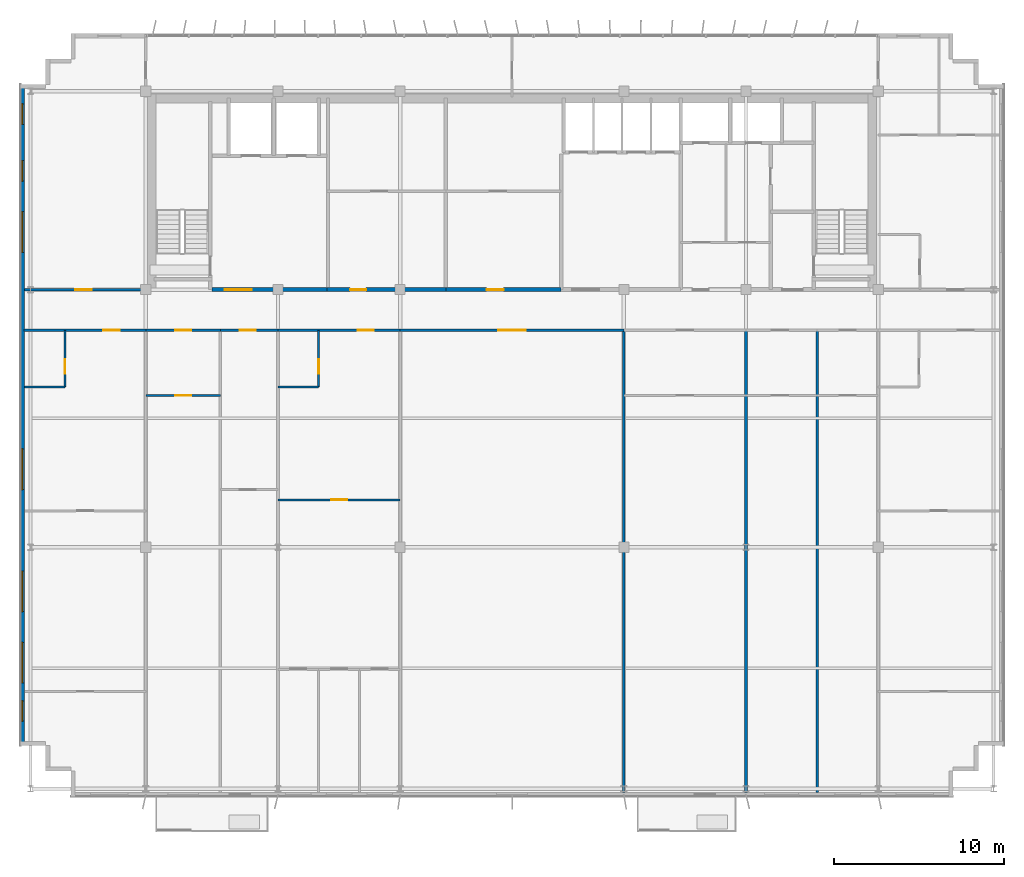
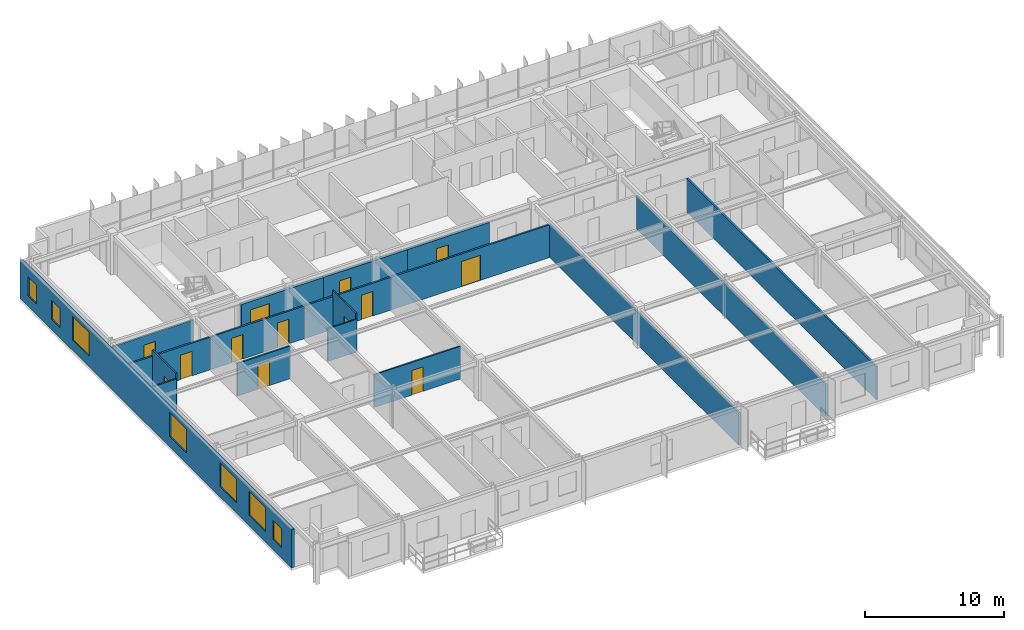
# One storey, part 17 of 22: 19 walls, 13 doors, 7 windows, 20 openings.
"""IFC4 building model written with IfcOpenShell, lengths in metres."""

from ifc_helpers import new_model, si_unit, direction, frame, frame_2d, origin, place, context, subcontext, project, spatial, rectangle, extrude, source, transform, mapped, material, layer, layer_set, type_object, element, fill, save


model = new_model("IFC4")

# Units and contexts
model_context = context("Model", 3, precision=1e-05, world=origin(), true_north=direction((0.0, 1.0)))
body_context = subcontext(model_context, "Body", "Model", "MODEL_VIEW")
ifc_project = project(units=[si_unit("LENGTHUNIT", "METRE"), si_unit("AREAUNIT", "SQUARE_METRE"), si_unit("VOLUMEUNIT", "CUBIC_METRE"), si_unit("PLANEANGLEUNIT", "RADIAN"), si_unit("MASSUNIT", "GRAM", prefix="KILO")], contexts=[model_context])

# Site, building, storey
site_placement = place(None, origin())
site = spatial("IfcSite", under=ifc_project, at=site_placement, CompositionType="ELEMENT")
building_placement = place(site_placement, origin())
building = spatial("IfcBuilding", under=site, at=building_placement, Name="Trelvane Seafront Commons", CompositionType="ELEMENT")
storey_placement = place(building_placement, frame((0.0, 0.0, 273.89990234375)))
storey = spatial("IfcBuildingStorey", under=building, at=storey_placement, Name="L71", CompositionType="ELEMENT", Elevation=273.89990234375)

# Wall, openings, windows
ifc_material_1 = material(Name="Precast concrete C40/50", Category="concrete")
ifc_layer_1 = layer(ifc_material_1, 0.239990234375, Name="ARCH-WALL-EXT240")
ifc_layer_set_1 = layer_set([ifc_layer_1], Name="Precast concrete C40/50")
wall_type_1 = type_object("IfcWallType", Name="ARCH-WALL-EXT240", PredefinedType="SOLIDWALL", material=ifc_layer_set_1)
wall_1_placement = place(storey_placement, frame((8.320068359375, 6.5, 0.0), z_axis=(0.0, 0.0, 1.0), x_axis=(0.0, 1.0, 0.0)))
wall_1 = element("IfcWall", 1, at=wall_1_placement, inside=storey, type_object=wall_type_1, Name="EW-L71-01429", PredefinedType="SOLIDWALL", context=body_context, shape_type="SweptSolid", body=[
    extrude(rectangle(XDim=39.0, YDim=0.239990234375, at=frame_2d((19.5, 0.0))), origin(), (0.0, 0.0, 1.0), 3.3701171875),
])
opening_1_placement = place(wall_1_placement, frame((1.449951171875, 0.0, 0.919921875)))
opening_1 = element("IfcOpeningElement", 2, at=opening_1_placement, cuts=wall_1, Name="Opening W05", PredefinedType="OPENING", context=body_context, shape_type="SweptSolid", body=[
    extrude(rectangle(XDim=1.199951171875, YDim=1.64990234375, at=frame_2d((0.60009765625, 0.824951171875))), frame((0.0, 0.1298828125, 0.0), z_axis=(0.0, -1.0, 0.0), x_axis=(1.0, 0.0, 0.0)), (0.0, 0.0, 1.0), 0.260009765625),
])
opening_2_placement = place(wall_1_placement, frame((3.699951171875, 0.0, 0.919921875)))
opening_2 = element("IfcOpeningElement", 3, at=opening_2_placement, cuts=wall_1, Name="Opening W08", PredefinedType="OPENING", context=body_context, shape_type="SweptSolid", body=[
    extrude(rectangle(XDim=2.39990234375, YDim=2.10009765625, at=frame_2d((1.199951171875, 1.050048828125))), frame((0.0, 0.1298828125, 0.0), z_axis=(0.0, -1.0, 0.0), x_axis=(1.0, 0.0, 0.0)), (0.0, 0.0, 1.0), 0.260009765625),
])
opening_3_placement = place(wall_1_placement, frame((7.89990234375, 0.0, 0.919921875)))
opening_3 = element("IfcOpeningElement", 4, at=opening_3_placement, cuts=wall_1, Name="Opening W08", PredefinedType="OPENING", context=body_context, shape_type="SweptSolid", body=[
    extrude(rectangle(XDim=2.39990234375, YDim=2.10009765625, at=frame_2d((1.199951171875, 1.050048828125))), frame((0.0, 0.1298828125, 0.0), z_axis=(0.0, -1.0, 0.0), x_axis=(1.0, 0.0, 0.0)), (0.0, 0.0, 1.0), 0.260009765625),
])
opening_4_placement = place(wall_1_placement, frame((15.10009765625, 0.0, 0.919921875)))
opening_4 = element("IfcOpeningElement", 5, at=opening_4_placement, cuts=wall_1, Name="Opening W08", PredefinedType="OPENING", context=body_context, shape_type="SweptSolid", body=[
    extrude(rectangle(XDim=2.39990234375, YDim=2.10009765625, at=frame_2d((1.199951171875, 1.050048828125))), frame((0.0, 0.1298828125, 0.0), z_axis=(0.0, -1.0, 0.0), x_axis=(1.0, 0.0, 0.0)), (0.0, 0.0, 1.0), 0.260009765625),
])
opening_5_placement = place(wall_1_placement, frame((29.10009765625, 0.0, 0.919921875)))
opening_5 = element("IfcOpeningElement", 6, at=opening_5_placement, cuts=wall_1, Name="Opening W08", PredefinedType="OPENING", context=body_context, shape_type="SweptSolid", body=[
    extrude(rectangle(XDim=2.39990234375, YDim=2.10009765625, at=frame_2d((1.199951171875, 1.050048828125))), frame((0.0, 0.1298828125, 0.0), z_axis=(0.0, -1.0, 0.0), x_axis=(1.0, 0.0, 0.0)), (0.0, 0.0, 1.0), 0.260009765625),
])
opening_6_placement = place(wall_1_placement, frame((33.300048828125, 0.0, 0.919921875)))
opening_6 = element("IfcOpeningElement", 7, at=opening_6_placement, cuts=wall_1, Name="Opening W05", PredefinedType="OPENING", context=body_context, shape_type="SweptSolid", body=[
    extrude(rectangle(XDim=1.199951171875, YDim=1.64990234375, at=frame_2d((0.60009765625, 0.824951171875))), frame((0.0, 0.1298828125, 0.0), z_axis=(0.0, -1.0, 0.0), x_axis=(1.0, 0.0, 0.0)), (0.0, 0.0, 1.0), 0.260009765625),
])
opening_7_placement = place(wall_1_placement, frame((36.64990234375, 0.0, 0.919921875)))
opening_7 = element("IfcOpeningElement", 8, at=opening_7_placement, cuts=wall_1, Name="Opening W05", PredefinedType="OPENING", context=body_context, shape_type="SweptSolid", body=[
    extrude(rectangle(XDim=1.199951171875, YDim=1.64990234375, at=frame_2d((0.60009765625, 0.824951171875))), frame((0.0, 0.1298828125, 0.0), z_axis=(0.0, -1.0, 0.0), x_axis=(1.0, 0.0, 0.0)), (0.0, 0.0, 1.0), 0.260009765625),
])
ifc_material_2 = material(Name="Low-E coastal double glazing", Category="glass")
window_type_1 = type_object("IfcWindowType", Name="ARCH-WIN-W08", PartitioningType="SINGLE_PANEL", PredefinedType="WINDOW", material=ifc_material_2)
shared_shape_1 = source(origin(), body_context, "Body", "SweptSolid", [
    extrude(rectangle(XDim=2.39990234375, YDim=2.10009765625, at=frame_2d((1.199951171875, 1.050048828125))), frame((0.0, 0.030029296875, 0.0), z_axis=(0.0, -1.0, 0.0), x_axis=(1.0, 0.0, 0.0)), (0.0, 0.0, 1.0), 0.06005859375),
])
window_1_placement = place(opening_2_placement, origin())
window_1 = element("IfcWindow", 9, at=window_1_placement, inside=storey, type_object=window_type_1, Name="WIN-L71-EW-01700", OverallHeight=2.10009765625, OverallWidth=2.39990234375, PartitioningType="SINGLE_PANEL", PredefinedType="WINDOW", context=body_context, shape_type="MappedRepresentation", body=[
    mapped(shared_shape_1, transform((0.0, 0.0, 0.0), x_axis=(1.0, 0.0, 0.0), y_axis=(0.0, 1.0, 0.0), z_axis=(0.0, 0.0, 1.0), scale=1.0)),
])
fill(opening_2, window_1)
window_2_placement = place(opening_3_placement, origin())
window_2 = element("IfcWindow", 10, at=window_2_placement, inside=storey, type_object=window_type_1, Name="WIN-L71-EW-01701", OverallHeight=2.10009765625, OverallWidth=2.39990234375, PartitioningType="SINGLE_PANEL", PredefinedType="WINDOW", context=body_context, shape_type="MappedRepresentation", body=[
    mapped(shared_shape_1, transform((0.0, 0.0, 0.0), x_axis=(1.0, 0.0, 0.0), y_axis=(0.0, 1.0, 0.0), z_axis=(0.0, 0.0, 1.0), scale=1.0)),
])
fill(opening_3, window_2)
window_3_placement = place(opening_4_placement, origin())
window_3 = element("IfcWindow", 11, at=window_3_placement, inside=storey, type_object=window_type_1, Name="WIN-L71-EW-01702", OverallHeight=2.10009765625, OverallWidth=2.39990234375, PartitioningType="SINGLE_PANEL", PredefinedType="WINDOW", context=body_context, shape_type="MappedRepresentation", body=[
    mapped(shared_shape_1, transform((0.0, 0.0, 0.0), x_axis=(1.0, 0.0, 0.0), y_axis=(0.0, 1.0, 0.0), z_axis=(0.0, 0.0, 1.0), scale=1.0)),
])
fill(opening_4, window_3)
window_4_placement = place(opening_5_placement, origin())
window_4 = element("IfcWindow", 12, at=window_4_placement, inside=storey, type_object=window_type_1, Name="WIN-L71-EW-01703", OverallHeight=2.10009765625, OverallWidth=2.39990234375, PartitioningType="SINGLE_PANEL", PredefinedType="WINDOW", context=body_context, shape_type="MappedRepresentation", body=[
    mapped(shared_shape_1, transform((0.0, 0.0, 0.0), x_axis=(1.0, 0.0, 0.0), y_axis=(0.0, 1.0, 0.0), z_axis=(0.0, 0.0, 1.0), scale=1.0)),
])
fill(opening_5, window_4)
window_type_2 = type_object("IfcWindowType", Name="ARCH-WIN-W05", PartitioningType="SINGLE_PANEL", PredefinedType="WINDOW", material=ifc_material_2)
shared_shape_2 = source(origin(), body_context, "Body", "SweptSolid", [
    extrude(rectangle(XDim=1.199951171875, YDim=1.64990234375, at=frame_2d((0.60009765625, 0.824951171875))), frame((0.0, 0.030029296875, 0.0), z_axis=(0.0, -1.0, 0.0), x_axis=(1.0, 0.0, 0.0)), (0.0, 0.0, 1.0), 0.06005859375),
])
window_5_placement = place(opening_1_placement, origin())
window_5 = element("IfcWindow", 13, at=window_5_placement, inside=storey, type_object=window_type_2, Name="WIN-L71-EW-01699", OverallHeight=1.64990234375, OverallWidth=1.199951171875, PartitioningType="SINGLE_PANEL", PredefinedType="WINDOW", context=body_context, shape_type="MappedRepresentation", body=[
    mapped(shared_shape_2, transform((0.0, 0.0, 0.0), x_axis=(1.0, 0.0, 0.0), y_axis=(0.0, 1.0, 0.0), z_axis=(0.0, 0.0, 1.0), scale=1.0)),
])
fill(opening_1, window_5)
window_6_placement = place(opening_6_placement, origin())
window_6 = element("IfcWindow", 14, at=window_6_placement, inside=storey, type_object=window_type_2, Name="WIN-L71-EW-01704", OverallHeight=1.64990234375, OverallWidth=1.199951171875, PartitioningType="SINGLE_PANEL", PredefinedType="WINDOW", context=body_context, shape_type="MappedRepresentation", body=[
    mapped(shared_shape_2, transform((0.0, 0.0, 0.0), x_axis=(1.0, 0.0, 0.0), y_axis=(0.0, 1.0, 0.0), z_axis=(0.0, 0.0, 1.0), scale=1.0)),
])
fill(opening_6, window_6)
window_7_placement = place(opening_7_placement, origin())
window_7 = element("IfcWindow", 15, at=window_7_placement, inside=storey, type_object=window_type_2, Name="WIN-L71-EW-01705", OverallHeight=1.64990234375, OverallWidth=1.199951171875, PartitioningType="SINGLE_PANEL", PredefinedType="WINDOW", context=body_context, shape_type="MappedRepresentation", body=[
    mapped(shared_shape_2, transform((0.0, 0.0, 0.0), x_axis=(1.0, 0.0, 0.0), y_axis=(0.0, 1.0, 0.0), z_axis=(0.0, 0.0, 1.0), scale=1.0)),
])
fill(opening_7, window_7)

# Wall, opening, door
ifc_material_3 = material(Name="Concrete C40/50", Category="concrete")
ifc_layer_2 = layer(ifc_material_3, 0.25, Name="ARCH-WALL-FIRE250")
ifc_layer_set_2 = layer_set([ifc_layer_2], Name="Concrete C40/50")
wall_type_2 = type_object("IfcWallType", Name="ARCH-WALL-FIRE250", PredefinedType="PARTITIONING", material=ifc_layer_set_2)
wall_2_placement = place(storey_placement, frame((19.5, 33.39990234375, 0.0), z_axis=(0.0, 0.0, 1.0), x_axis=(1.0, 0.0, 0.0)))
wall_2 = element("IfcWall", 16, at=wall_2_placement, inside=storey, type_object=wall_type_2, Name="W-L71-CS-FFL-013", PredefinedType="PARTITIONING", context=body_context, shape_type="SweptSolid", body=[
    extrude(rectangle(XDim=6.800048828125, YDim=0.25, at=frame_2d((3.39990234375, 0.0))), origin(), (0.0, 0.0, 1.0), 2.920166015625),
])
opening_8_placement = place(wall_2_placement, frame((0.75, 0.0, 0.0)))
opening_8 = element("IfcOpeningElement", 17, at=opening_8_placement, cuts=wall_2, Name="Opening FD-L71-05", PredefinedType="OPENING", context=body_context, shape_type="SweptSolid", body=[
    extrude(rectangle(XDim=1.60009765625, YDim=2.199951171875, at=frame_2d((0.800048828125, 1.10009765625))), frame((0.0, 0.135009765625, 0.0), z_axis=(0.0, -1.0, 0.0), x_axis=(1.0, 0.0, 0.0)), (0.0, 0.0, 1.0), 0.27001953125),
])
ifc_material_4 = material(Name="Powder-coated aluminium frame", Category="aluminium")
door_type_1 = type_object("IfcDoorType", Name="ARCH-DR-FD60-1600", OperationType="DOUBLE_DOOR_SINGLE_SWING", PredefinedType="DOOR", material=ifc_material_4)
shared_shape_3 = source(origin(), body_context, "Body", "SweptSolid", [
    extrude(rectangle(XDim=1.60009765625, YDim=2.199951171875, at=frame_2d((0.800048828125, 1.10009765625))), frame((0.0, 0.02490234375, 0.0), z_axis=(0.0, -1.0, 0.0), x_axis=(1.0, 0.0, 0.0)), (0.0, 0.0, 1.0), 0.050048828125),
])
door_1_placement = place(opening_8_placement, origin())
door_1 = element("IfcDoor", 18, at=door_1_placement, inside=storey, type_object=door_type_1, Name="L71 Firefighting Lift Lobby Double Fire Door", OperationType="DOUBLE_DOOR_SINGLE_SWING", OverallHeight=2.199951171875, OverallWidth=1.60009765625, PredefinedType="DOOR", context=body_context, shape_type="MappedRepresentation", body=[
    mapped(shared_shape_3, transform((0.0, 0.0, 0.0), x_axis=(1.0, 0.0, 0.0), y_axis=(0.0, 1.0, 0.0), z_axis=(0.0, 0.0, 1.0), scale=1.0)),
])
fill(opening_8, door_1)

wall_3_placement = place(storey_placement, frame((26.300048828125, 33.39990234375, 0.0), z_axis=(0.0, 0.0, 1.0), x_axis=(1.0, 0.0, 0.0)))
wall_3 = element("IfcWall", 19, at=wall_3_placement, inside=storey, type_object=wall_type_2, Name="W-L71-CS-FPL-024", PredefinedType="PARTITIONING", context=body_context, shape_type="SweptSolid", body=[
    extrude(rectangle(XDim=7.0, YDim=0.25, at=frame_2d((3.5, 0.0))), origin(), (0.0, 0.0, 1.0), 2.920166015625),
])
opening_9_placement = place(wall_3_placement, frame((1.35009765625, 0.0, 0.0)))
opening_9 = element("IfcOpeningElement", 20, at=opening_9_placement, cuts=wall_3, Name="Opening D-L71-12", PredefinedType="OPENING", context=body_context, shape_type="SweptSolid", body=[
    extrude(rectangle(XDim=0.949951171875, YDim=2.14990234375, at=frame_2d((0.47509765625, 1.074951171875))), frame((0.0, 0.135009765625, 0.0), z_axis=(0.0, -1.0, 0.0), x_axis=(1.0, 0.0, 0.0)), (0.0, 0.0, 1.0), 0.27001953125),
])
ifc_material_5 = material(Name="Acoustic timber door leaf", Category="wood")
door_type_2 = type_object("IfcDoorType", Name="ARCH-DR-INT950", OperationType="NOTDEFINED", PredefinedType="DOOR", material=ifc_material_5)
shared_shape_4 = source(origin(), body_context, "Body", "SweptSolid", [
    extrude(rectangle(XDim=0.949951171875, YDim=2.14990234375, at=frame_2d((0.47509765625, 1.074951171875))), frame((0.0, 0.02490234375, 0.0), z_axis=(0.0, -1.0, 0.0), x_axis=(1.0, 0.0, 0.0)), (0.0, 0.0, 1.0), 0.050048828125),
])
door_2_placement = place(opening_9_placement, origin())
door_2 = element("IfcDoor", 21, at=door_2_placement, inside=storey, type_object=door_type_2, Name="L71 Floor Pantry Entrance Door", OperationType="SINGLE_SWING_RIGHT", OverallHeight=2.14990234375, OverallWidth=0.949951171875, PredefinedType="DOOR", context=body_context, shape_type="MappedRepresentation", body=[
    mapped(shared_shape_4, transform((0.0, 0.0, 0.0), x_axis=(1.0, 0.0, 0.0), y_axis=(0.0, 1.0, 0.0), z_axis=(0.0, 0.0, 1.0), scale=1.0)),
])
fill(opening_9, door_2)

wall_4_placement = place(storey_placement, frame((33.300048828125, 33.39990234375, 0.0), z_axis=(0.0, 0.0, 1.0), x_axis=(1.0, 0.0, 0.0)))
wall_4 = element("IfcWall", 22, at=wall_4_placement, inside=storey, type_object=wall_type_2, Name="W-L71-CS-FPM-025", PredefinedType="PARTITIONING", context=body_context, shape_type="SweptSolid", body=[
    extrude(rectangle(XDim=6.800048828125, YDim=0.25, at=frame_2d((3.39990234375, 0.0))), origin(), (0.0, 0.0, 1.0), 2.920166015625),
])
opening_10_placement = place(wall_4_placement, frame((2.39990234375, 0.0, 0.0)))
opening_10 = element("IfcOpeningElement", 23, at=opening_10_placement, cuts=wall_4, Name="Opening FD-L71-13", PredefinedType="OPENING", context=body_context, shape_type="SweptSolid", body=[
    extrude(rectangle(XDim=1.0, YDim=2.14990234375, at=frame_2d((0.5, 1.074951171875))), frame((0.0, 0.135009765625, 0.0), z_axis=(0.0, -1.0, 0.0), x_axis=(1.0, 0.0, 0.0)), (0.0, 0.0, 1.0), 0.27001953125),
])
door_type_3 = type_object("IfcDoorType", Name="ARCH-DR-FD60-1000", OperationType="NOTDEFINED", PredefinedType="DOOR", material=ifc_material_4)
shared_shape_5 = source(origin(), body_context, "Body", "SweptSolid", [
    extrude(rectangle(XDim=1.0, YDim=2.14990234375, at=frame_2d((0.5, 1.074951171875))), frame((0.0, 0.02490234375, 0.0), z_axis=(0.0, -1.0, 0.0), x_axis=(1.0, 0.0, 0.0)), (0.0, 0.0, 1.0), 0.050048828125),
])
door_3_placement = place(opening_10_placement, origin())
door_3 = element("IfcDoor", 24, at=door_3_placement, inside=storey, type_object=door_type_3, Name="L71 Trunk Storage Door", OperationType="SINGLE_SWING_LEFT", OverallHeight=2.14990234375, OverallWidth=1.0, PredefinedType="DOOR", context=body_context, shape_type="MappedRepresentation", body=[
    mapped(shared_shape_5, transform((0.0, 0.0, 0.0), x_axis=(1.0, 0.0, 0.0), y_axis=(0.0, 1.0, 0.0), z_axis=(0.0, 0.0, 1.0), scale=1.0)),
])
fill(opening_10, door_3)

ifc_material_6 = material(Name="Gypsum Drywall Acoustic Partition")
ifc_layer_3 = layer(ifc_material_6, 0.1201171875, Name="ARCH-WALL-PART120")
ifc_layer_set_3 = layer_set([ifc_layer_3], Name="Gypsum Drywall Acoustic Partition")
wall_type_3 = type_object("IfcWallType", Name="ARCH-WALL-PART120", PredefinedType="PARTITIONING", material=ifc_layer_set_3)
wall_5_placement = place(storey_placement, frame((10.840087890625, 27.64990234375, 0.0), z_axis=(0.0, 0.0, 1.0), x_axis=(0.0, 1.0, 0.0)))
wall_5 = element("IfcWall", 25, at=wall_5_placement, inside=storey, type_object=wall_type_3, Name="W-L71-U1-BE-054", PredefinedType="PARTITIONING", context=body_context, shape_type="SweptSolid", body=[
    extrude(rectangle(XDim=3.35009765625, YDim=0.1201171875, at=frame_2d((1.675048828125, 0.0))), origin(), (0.0, 0.0, 1.0), 3.3701171875),
])
opening_11_placement = place(wall_5_placement, frame((0.800048828125, 0.0, 0.0)))
opening_11 = element("IfcOpeningElement", 26, at=opening_11_placement, cuts=wall_5, Name="Opening D-L71-31", PredefinedType="OPENING", context=body_context, shape_type="SweptSolid", body=[
    extrude(rectangle(XDim=0.85009765625, YDim=2.10009765625, at=frame_2d((0.425048828125, 1.050048828125))), frame((0.0, 0.070068359375, 0.0), z_axis=(0.0, -1.0, 0.0), x_axis=(1.0, 0.0, 0.0)), (0.0, 0.0, 1.0), 0.14013671875),
])
door_type_4 = type_object("IfcDoorType", Name="ARCH-DR-INT850", OperationType="NOTDEFINED", PredefinedType="DOOR", material=ifc_material_5)
shared_shape_6 = source(origin(), body_context, "Body", "SweptSolid", [
    extrude(rectangle(XDim=0.85009765625, YDim=2.10009765625, at=frame_2d((0.425048828125, 1.050048828125))), frame((0.0, 0.02490234375, 0.0), z_axis=(0.0, -1.0, 0.0), x_axis=(1.0, 0.0, 0.0)), (0.0, 0.0, 1.0), 0.050048828125),
])
door_4_placement = place(opening_11_placement, origin())
door_4 = element("IfcDoor", 27, at=door_4_placement, inside=storey, type_object=door_type_4, Name="L71 Door 31", OperationType="SINGLE_SWING_LEFT", OverallHeight=2.10009765625, OverallWidth=0.85009765625, PredefinedType="DOOR", context=body_context, shape_type="MappedRepresentation", body=[
    mapped(shared_shape_6, transform((0.0, 0.0, 0.0), x_axis=(1.0, 0.0, 0.0), y_axis=(0.0, 1.0, 0.0), z_axis=(0.0, 0.0, 1.0), scale=1.0)),
])
fill(opening_11, door_4)

# Wall
wall_6_placement = place(storey_placement, frame((8.43994140625, 27.64990234375, 0.0), z_axis=(0.0, 0.0, 1.0), x_axis=(1.0, 0.0, 0.0)))
element("IfcWall", 28, at=wall_6_placement, inside=storey, type_object=wall_type_3, Name="W-L71-U1-BS-055", PredefinedType="PARTITIONING", context=body_context, shape_type="SweptSolid", body=[
    extrude(rectangle(XDim=2.400146484375, YDim=0.1201171875, at=frame_2d((1.2001953125, 0.0))), origin(), (0.0, 0.0, 1.0), 2.8701171875),
])

# Wall, opening, door
wall_7_placement = place(storey_placement, frame((15.60009765625, 27.14990234375, 0.0), z_axis=(0.0, 0.0, 1.0), x_axis=(1.0, 0.0, 0.0)))
wall_7 = element("IfcWall", 29, at=wall_7_placement, inside=storey, type_object=wall_type_3, Name="W-L71-U2-DIV-059", PredefinedType="PARTITIONING", context=body_context, shape_type="SweptSolid", body=[
    extrude(rectangle(XDim=4.39990234375, YDim=0.1201171875, at=frame_2d((2.199951171875, 0.0))), origin(), (0.0, 0.0, 1.0), 2.8701171875),
])
opening_12_placement = place(wall_7_placement, frame((1.72509765625, 0.0, 0.0)))
opening_12 = element("IfcOpeningElement", 30, at=opening_12_placement, cuts=wall_7, Name="Opening D-L71-35", PredefinedType="OPENING", context=body_context, shape_type="SweptSolid", body=[
    extrude(rectangle(XDim=0.949951171875, YDim=2.14990234375, at=frame_2d((0.47509765625, 1.074951171875))), frame((0.0, 0.070068359375, 0.0), z_axis=(0.0, -1.0, 0.0), x_axis=(1.0, 0.0, 0.0)), (0.0, 0.0, 1.0), 0.14013671875),
])
door_5_placement = place(opening_12_placement, origin())
door_5 = element("IfcDoor", 31, at=door_5_placement, inside=storey, type_object=door_type_2, Name="L71 Door 35", OperationType="SINGLE_SWING_LEFT", OverallHeight=2.14990234375, OverallWidth=0.949951171875, PredefinedType="DOOR", context=body_context, shape_type="MappedRepresentation", body=[
    mapped(shared_shape_4, transform((0.0, 0.0, 0.0), x_axis=(1.0, 0.0, 0.0), y_axis=(0.0, 1.0, 0.0), z_axis=(0.0, 0.0, 1.0), scale=1.0)),
])
fill(opening_12, door_5)

wall_8_placement = place(storey_placement, frame((23.39990234375, 21.0, 0.0), z_axis=(0.0, 0.0, 1.0), x_axis=(1.0, 0.0, 0.0)))
wall_8 = element("IfcWall", 32, at=wall_8_placement, inside=storey, type_object=wall_type_3, Name="W-L71-U4-KL-062", PredefinedType="PARTITIONING", context=body_context, shape_type="SweptSolid", body=[
    extrude(rectangle(XDim=7.2001953125, YDim=0.1201171875, at=frame_2d((3.60009765625, 0.0))), origin(), (0.0, 0.0, 1.0), 2.8701171875),
])
opening_13_placement = place(wall_8_placement, frame((3.125, 0.0, 0.0)))
opening_13 = element("IfcOpeningElement", 33, at=opening_13_placement, cuts=wall_8, Name="Opening D-L71-38", PredefinedType="OPENING", context=body_context, shape_type="SweptSolid", body=[
    extrude(rectangle(XDim=0.949951171875, YDim=2.14990234375, at=frame_2d((0.47509765625, 1.074951171875))), frame((0.0, 0.070068359375, 0.0), z_axis=(0.0, -1.0, 0.0), x_axis=(1.0, 0.0, 0.0)), (0.0, 0.0, 1.0), 0.14013671875),
])
door_6_placement = place(opening_13_placement, origin())
door_6 = element("IfcDoor", 34, at=door_6_placement, inside=storey, type_object=door_type_2, Name="L71 Door 38", OperationType="SINGLE_SWING_RIGHT", OverallHeight=2.14990234375, OverallWidth=0.949951171875, PredefinedType="DOOR", context=body_context, shape_type="MappedRepresentation", body=[
    mapped(shared_shape_4, transform((0.0, 0.0, 0.0), x_axis=(1.0, 0.0, 0.0), y_axis=(0.0, 1.0, 0.0), z_axis=(0.0, 0.0, 1.0), scale=1.0)),
])
fill(opening_13, door_6)

wall_9_placement = place(storey_placement, frame((25.800048828125, 27.64990234375, 0.0), z_axis=(0.0, 0.0, 1.0), x_axis=(0.0, 1.0, 0.0)))
wall_9 = element("IfcWall", 35, at=wall_9_placement, inside=storey, type_object=wall_type_3, Name="W-L71-U4-BE-063", PredefinedType="PARTITIONING", context=body_context, shape_type="SweptSolid", body=[
    extrude(rectangle(XDim=3.35009765625, YDim=0.1201171875, at=frame_2d((1.675048828125, 0.0))), origin(), (0.0, 0.0, 1.0), 3.3701171875),
])
opening_14_placement = place(wall_9_placement, frame((0.800048828125, 0.0, 0.0)))
opening_14 = element("IfcOpeningElement", 36, at=opening_14_placement, cuts=wall_9, Name="Opening D-L71-39", PredefinedType="OPENING", context=body_context, shape_type="SweptSolid", body=[
    extrude(rectangle(XDim=0.85009765625, YDim=2.10009765625, at=frame_2d((0.425048828125, 1.050048828125))), frame((0.0, 0.070068359375, 0.0), z_axis=(0.0, -1.0, 0.0), x_axis=(1.0, 0.0, 0.0)), (0.0, 0.0, 1.0), 0.14013671875),
])
door_7_placement = place(opening_14_placement, origin())
door_7 = element("IfcDoor", 37, at=door_7_placement, inside=storey, type_object=door_type_4, Name="L71 Door 39", OperationType="SINGLE_SWING_LEFT", OverallHeight=2.10009765625, OverallWidth=0.85009765625, PredefinedType="DOOR", context=body_context, shape_type="MappedRepresentation", body=[
    mapped(shared_shape_6, transform((0.0, 0.0, 0.0), x_axis=(1.0, 0.0, 0.0), y_axis=(0.0, 1.0, 0.0), z_axis=(0.0, 0.0, 1.0), scale=1.0)),
])
fill(opening_14, door_7)

# Wall
wall_10_placement = place(storey_placement, frame((23.39990234375, 27.64990234375, 0.0), z_axis=(0.0, 0.0, 1.0), x_axis=(1.0, 0.0, 0.0)))
element("IfcWall", 38, at=wall_10_placement, inside=storey, type_object=wall_type_3, Name="W-L71-U4-BS-064", PredefinedType="PARTITIONING", context=body_context, shape_type="SweptSolid", body=[
    extrude(rectangle(XDim=2.400146484375, YDim=0.1201171875, at=frame_2d((1.2001953125, 0.0))), origin(), (0.0, 0.0, 1.0), 2.8701171875),
])

# Wall, opening, door
ifc_layer_4 = layer(ifc_material_6, 0.14990234375, Name="ARCH-WALL-PART150")
ifc_layer_set_4 = layer_set([ifc_layer_4], Name="Gypsum Drywall Acoustic Partition")
wall_type_4 = type_object("IfcWallType", Name="ARCH-WALL-PART150", PredefinedType="PARTITIONING", material=ifc_layer_set_4)
wall_11_placement = place(storey_placement, frame((8.449951171875, 33.39990234375, 0.0), z_axis=(0.0, 0.0, 1.0), x_axis=(1.0, 0.0, 0.0)))
wall_11 = element("IfcWall", 39, at=wall_11_placement, inside=storey, type_object=wall_type_4, Name="W-L71-NW-ENT-035", PredefinedType="PARTITIONING", context=body_context, shape_type="SweptSolid", body=[
    extrude(rectangle(XDim=7.150146484375, YDim=0.14990234375, at=frame_2d((3.5751953125, 0.0))), origin(), (0.0, 0.0, 1.0), 2.920166015625),
])
opening_15_placement = place(wall_11_placement, frame((3.0, 0.0, 0.0)))
opening_15 = element("IfcOpeningElement", 40, at=opening_15_placement, cuts=wall_11, Name="Opening FD-L71-22", PredefinedType="OPENING", context=body_context, shape_type="SweptSolid", body=[
    extrude(rectangle(XDim=0.949951171875, YDim=2.14990234375, at=frame_2d((0.47509765625, 1.074951171875))), frame((0.0, 0.0849609375, 0.0), z_axis=(0.0, -1.0, 0.0), x_axis=(1.0, 0.0, 0.0)), (0.0, 0.0, 1.0), 0.169921875),
])
door_type_5 = type_object("IfcDoorType", Name="ARCH-DR-FD60-950", OperationType="NOTDEFINED", PredefinedType="DOOR", material=ifc_material_4)
door_8_placement = place(opening_15_placement, origin())
door_8 = element("IfcDoor", 41, at=door_8_placement, inside=storey, type_object=door_type_5, Name="L71 NW Suite Entrance Door", OperationType="SINGLE_SWING_RIGHT", OverallHeight=2.14990234375, OverallWidth=0.949951171875, PredefinedType="DOOR", context=body_context, shape_type="MappedRepresentation", body=[
    mapped(shared_shape_4, transform((0.0, 0.0, 0.0), x_axis=(1.0, 0.0, 0.0), y_axis=(0.0, 1.0, 0.0), z_axis=(0.0, 0.0, 1.0), scale=1.0)),
])
fill(opening_15, door_8)

# Walls
for number, where, z_axis, x_axis, name in (
    (42, (43.800048828125, 3.72509765625, 0.0), (0.0, 0.0, 1.0), (0.0, 1.0, 0.0), "W-L71-PW-5-049"),
    (43, (51.0, 3.72509765625, 0.0), (0.0, 0.0, 1.0), (0.0, 1.0, 0.0), "W-L71-PW-6-050"),
):
    element("IfcWall", number, at=place(storey_placement, frame(where, z_axis=z_axis, x_axis=x_axis)), inside=storey, type_object=wall_type_4, Name=name, PredefinedType="PARTITIONING", context=body_context, shape_type="SweptSolid", body=[
        extrude(rectangle(XDim=27.27490234375, YDim=0.14990234375, at=frame_2d((13.637451171875, 0.0))), origin(), (0.0, 0.0, 1.0), 2.8701171875),
    ])
wall_12_placement = place(storey_placement, frame((55.199951171875, 3.72509765625, 0.0), z_axis=(0.0, 0.0, 1.0), x_axis=(0.0, 1.0, 0.0)))
element("IfcWall", 44, at=wall_12_placement, inside=storey, type_object=wall_type_4, Name="W-L71-PW-7-051", PredefinedType="PARTITIONING", context=body_context, shape_type="SweptSolid", body=[
    extrude(rectangle(XDim=27.27490234375, YDim=0.14990234375, at=frame_2d((13.637451171875, 0.0))), origin(), (0.0, 0.0, 1.0), 2.920166015625),
])

# Wall, opening, door
wall_13_placement = place(storey_placement, frame((8.425048828125, 31.0, 0.0), z_axis=(0.0, 0.0, 1.0), x_axis=(1.0, 0.0, 0.0)))
wall_13 = element("IfcWall", 45, at=wall_13_placement, inside=storey, type_object=wall_type_4, Name="W-L71-CS-BAY-1-056", PredefinedType="PARTITIONING", context=body_context, shape_type="SweptSolid", body=[
    extrude(rectangle(XDim=7.175048828125, YDim=0.14990234375, at=frame_2d((3.58740234375, 0.0))), origin(), (0.0, 0.0, 1.0), 2.8701171875),
])
opening_16_placement = place(wall_13_placement, frame((4.680908203125, 0.0, 0.0)))
opening_16 = element("IfcOpeningElement", 46, at=opening_16_placement, cuts=wall_13, Name="Opening FD-L71-32", PredefinedType="OPENING", context=body_context, shape_type="SweptSolid", body=[
    extrude(rectangle(XDim=0.949951171875, YDim=2.14990234375, at=frame_2d((0.47509765625, 1.074951171875))), frame((0.0, 0.0849609375, 0.0), z_axis=(0.0, -1.0, 0.0), x_axis=(1.0, 0.0, 0.0)), (0.0, 0.0, 1.0), 0.169921875),
])
door_9_placement = place(opening_16_placement, origin())
door_9 = element("IfcDoor", 47, at=door_9_placement, inside=storey, type_object=door_type_5, Name="L71 Unit 01 Entrance Door", OperationType="SINGLE_SWING_RIGHT", OverallHeight=2.14990234375, OverallWidth=0.949951171875, PredefinedType="DOOR", context=body_context, shape_type="MappedRepresentation", body=[
    mapped(shared_shape_4, transform((0.0, 0.0, 0.0), x_axis=(1.0, 0.0, 0.0), y_axis=(0.0, 1.0, 0.0), z_axis=(0.0, 0.0, 1.0), scale=1.0)),
])
fill(opening_16, door_9)

wall_14_placement = place(storey_placement, frame((15.60009765625, 31.0, 0.0), z_axis=(0.0, 0.0, 1.0), x_axis=(1.0, 0.0, 0.0)))
wall_14 = element("IfcWall", 48, at=wall_14_placement, inside=storey, type_object=wall_type_4, Name="W-L71-CS-BAY-2-058", PredefinedType="PARTITIONING", context=body_context, shape_type="SweptSolid", body=[
    extrude(rectangle(XDim=4.39990234375, YDim=0.14990234375, at=frame_2d((2.199951171875, 0.0))), origin(), (0.0, 0.0, 1.0), 2.8701171875),
])
opening_17_placement = place(wall_14_placement, frame((1.72509765625, 0.0, 0.0)))
opening_17 = element("IfcOpeningElement", 49, at=opening_17_placement, cuts=wall_14, Name="Opening FD-L71-34", PredefinedType="OPENING", context=body_context, shape_type="SweptSolid", body=[
    extrude(rectangle(XDim=0.949951171875, YDim=2.14990234375, at=frame_2d((0.47509765625, 1.074951171875))), frame((0.0, 0.0849609375, 0.0), z_axis=(0.0, -1.0, 0.0), x_axis=(1.0, 0.0, 0.0)), (0.0, 0.0, 1.0), 0.169921875),
])
door_10_placement = place(opening_17_placement, origin())
door_10 = element("IfcDoor", 50, at=door_10_placement, inside=storey, type_object=door_type_5, Name="L71 Bay 02 Entrance Door", OperationType="SINGLE_SWING_RIGHT", OverallHeight=2.14990234375, OverallWidth=0.949951171875, PredefinedType="DOOR", context=body_context, shape_type="MappedRepresentation", body=[
    mapped(shared_shape_4, transform((0.0, 0.0, 0.0), x_axis=(1.0, 0.0, 0.0), y_axis=(0.0, 1.0, 0.0), z_axis=(0.0, 0.0, 1.0), scale=1.0)),
])
fill(opening_17, door_10)

wall_15_placement = place(storey_placement, frame((20.0, 31.0, 0.0), z_axis=(0.0, 0.0, 1.0), x_axis=(1.0, 0.0, 0.0)))
wall_15 = element("IfcWall", 51, at=wall_15_placement, inside=storey, type_object=wall_type_4, Name="W-L71-CS-BAY-3-060", PredefinedType="PARTITIONING", context=body_context, shape_type="SweptSolid", body=[
    extrude(rectangle(XDim=3.39990234375, YDim=0.14990234375, at=frame_2d((1.699951171875, 0.0))), origin(), (0.0, 0.0, 1.0), 2.8701171875),
])
opening_18_placement = place(wall_15_placement, frame((1.131103515625, 0.0, 0.0)))
opening_18 = element("IfcOpeningElement", 52, at=opening_18_placement, cuts=wall_15, Name="Opening FD-L71-36", PredefinedType="OPENING", context=body_context, shape_type="SweptSolid", body=[
    extrude(rectangle(XDim=0.949951171875, YDim=2.14990234375, at=frame_2d((0.47509765625, 1.074951171875))), frame((0.0, 0.0849609375, 0.0), z_axis=(0.0, -1.0, 0.0), x_axis=(1.0, 0.0, 0.0)), (0.0, 0.0, 1.0), 0.169921875),
])
door_11_placement = place(opening_18_placement, origin())
door_11 = element("IfcDoor", 53, at=door_11_placement, inside=storey, type_object=door_type_5, Name="L71 Bay 03 Entrance Door", OperationType="SINGLE_SWING_RIGHT", OverallHeight=2.14990234375, OverallWidth=0.949951171875, PredefinedType="DOOR", context=body_context, shape_type="MappedRepresentation", body=[
    mapped(shared_shape_4, transform((0.0, 0.0, 0.0), x_axis=(1.0, 0.0, 0.0), y_axis=(0.0, 1.0, 0.0), z_axis=(0.0, 0.0, 1.0), scale=1.0)),
])
fill(opening_18, door_11)

wall_16_placement = place(storey_placement, frame((23.39990234375, 31.0, 0.0), z_axis=(0.0, 0.0, 1.0), x_axis=(1.0, 0.0, 0.0)))
wall_16 = element("IfcWall", 54, at=wall_16_placement, inside=storey, type_object=wall_type_4, Name="W-L71-CS-BAY-4-065", PredefinedType="PARTITIONING", context=body_context, shape_type="SweptSolid", body=[
    extrude(rectangle(XDim=7.2001953125, YDim=0.14990234375, at=frame_2d((3.60009765625, 0.0))), origin(), (0.0, 0.0, 1.0), 2.8701171875),
])
opening_19_placement = place(wall_16_placement, frame((4.7060546875, 0.0, 0.0)))
opening_19 = element("IfcOpeningElement", 55, at=opening_19_placement, cuts=wall_16, Name="Opening FD-L71-40", PredefinedType="OPENING", context=body_context, shape_type="SweptSolid", body=[
    extrude(rectangle(XDim=0.949951171875, YDim=2.14990234375, at=frame_2d((0.47509765625, 1.074951171875))), frame((0.0, 0.0849609375, 0.0), z_axis=(0.0, -1.0, 0.0), x_axis=(1.0, 0.0, 0.0)), (0.0, 0.0, 1.0), 0.169921875),
])
door_12_placement = place(opening_19_placement, origin())
door_12 = element("IfcDoor", 56, at=door_12_placement, inside=storey, type_object=door_type_5, Name="L71 Unit 04 Entrance Door", OperationType="SINGLE_SWING_RIGHT", OverallHeight=2.14990234375, OverallWidth=0.949951171875, PredefinedType="DOOR", context=body_context, shape_type="MappedRepresentation", body=[
    mapped(shared_shape_4, transform((0.0, 0.0, 0.0), x_axis=(1.0, 0.0, 0.0), y_axis=(0.0, 1.0, 0.0), z_axis=(0.0, 0.0, 1.0), scale=1.0)),
])
fill(opening_19, door_12)

wall_17_placement = place(storey_placement, frame((30.60009765625, 31.0, 0.0), z_axis=(0.0, 0.0, 1.0), x_axis=(1.0, 0.0, 0.0)))
wall_17 = element("IfcWall", 57, at=wall_17_placement, inside=storey, type_object=wall_type_4, Name="W-L71-CS-BAY-5-071", PredefinedType="PARTITIONING", context=body_context, shape_type="SweptSolid", body=[
    extrude(rectangle(XDim=13.199951171875, YDim=0.14990234375, at=frame_2d((6.60009765625, 0.0))), origin(), (0.0, 0.0, 1.0), 2.8701171875),
])
opening_20_placement = place(wall_17_placement, frame((5.800048828125, 0.0, 0.0)))
opening_20 = element("IfcOpeningElement", 58, at=opening_20_placement, cuts=wall_17, Name="Opening D-L71-44", PredefinedType="OPENING", context=body_context, shape_type="SweptSolid", body=[
    extrude(rectangle(XDim=1.60009765625, YDim=2.199951171875, at=frame_2d((0.800048828125, 1.10009765625))), frame((0.0, 0.0849609375, 0.0), z_axis=(0.0, -1.0, 0.0), x_axis=(1.0, 0.0, 0.0)), (0.0, 0.0, 1.0), 0.169921875),
])
door_type_6 = type_object("IfcDoorType", Name="ARCH-DR-GLZ1600", OperationType="DOUBLE_DOOR_SINGLE_SWING", PredefinedType="DOOR", material=ifc_material_5)
door_13_placement = place(opening_20_placement, origin())
door_13 = element("IfcDoor", 59, at=door_13_placement, inside=storey, type_object=door_type_6, Name="L71 Commons Lounge 05 Door", OperationType="DOUBLE_DOOR_SINGLE_SWING", OverallHeight=2.199951171875, OverallWidth=1.60009765625, PredefinedType="DOOR", context=body_context, shape_type="MappedRepresentation", body=[
    mapped(shared_shape_3, transform((0.0, 0.0, 0.0), x_axis=(1.0, 0.0, 0.0), y_axis=(0.0, 1.0, 0.0), z_axis=(0.0, 0.0, 1.0), scale=1.0)),
])
fill(opening_20, door_13)

save(model, "model.ifc")
